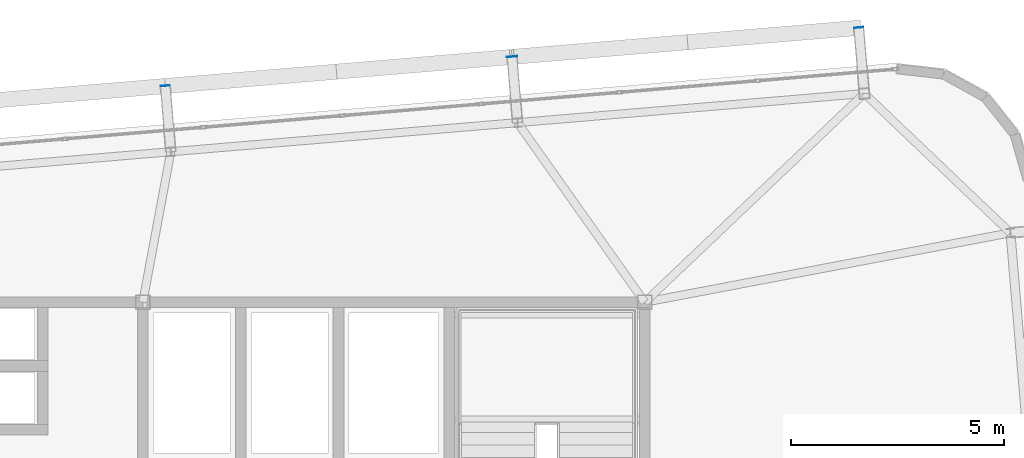
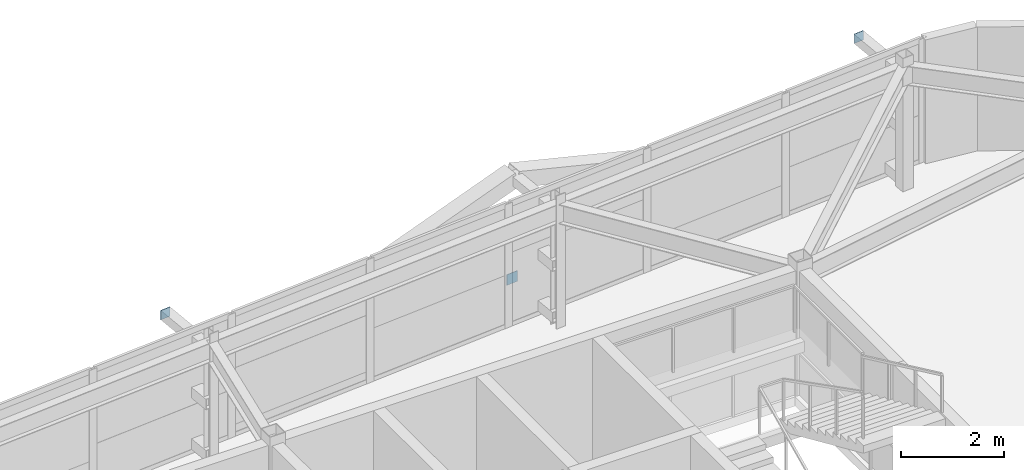
# One storey, part 40 of 46: 3 plates.
"""IFC4 building model written with IfcOpenShell, lengths in metres."""

from ifc_helpers import new_model, si_unit, direction, frame, origin, origin_2d, place, context, subcontext, project, spatial, rectangle, extrude, source, transform, mapped, material, layer, layer_set, type_object, element, save


model = new_model("IFC4")

# Units and contexts
model_context = context("Model", 3, precision=1e-05, world=origin(), true_north=direction((0.0, 1.0)))
body_context = subcontext(model_context, "Body", "Model", "MODEL_VIEW")
ifc_project = project(units=[si_unit("LENGTHUNIT", "METRE"), si_unit("AREAUNIT", "SQUARE_METRE"), si_unit("VOLUMEUNIT", "CUBIC_METRE"), si_unit("PLANEANGLEUNIT", "RADIAN"), si_unit("MASSUNIT", "GRAM", prefix="KILO")], contexts=[model_context])

# Site, building, storey
site_placement = place(None, origin())
site = spatial("IfcSite", under=ifc_project, at=site_placement, CompositionType="ELEMENT")
building_placement = place(site_placement, origin())
building = spatial("IfcBuilding", under=site, at=building_placement, Name="Taldren Reach Tower", CompositionType="ELEMENT")
storey_placement = place(building_placement, frame((0.0, 0.0, 194.60009765625)))
storey = spatial("IfcBuildingStorey", under=building, at=storey_placement, Name="L59", CompositionType="ELEMENT", Elevation=194.60009765625)

# Plates
ifc_material_1 = material(Name="Steel Gr 350 (C350L0)", Category="steel")
ifc_layer_1 = layer(ifc_material_1, 0.011962890625)
ifc_layer_set_1 = layer_set([ifc_layer_1], Name="Steel Gr 350 (C350L0)")
plate_type_1 = type_object("IfcPlateType", Name="PL-CAP-250", PredefinedType="SHEET", material=ifc_layer_set_1)
shared_shape_1 = source(origin(), body_context, "Body", "SweptSolid", [
    extrude(rectangle(XDim=0.25, YDim=0.011962890625, at=origin_2d()), origin(), (0.0, 0.0, 1.0), 0.25),
])
plate_placement = place(storey_placement, frame((47.87890625, 37.77197265625, 0.094970703125), z_axis=(0.0, 0.0, 1.0), x_axis=(0.99649285925, 0.083677843332, 0.0)))
element("IfcPlate", 1, at=plate_placement, inside=storey, type_object=plate_type_1, Name="Tie strut end cap plate B4-N5 L59", PredefinedType="SHEET", context=body_context, shape_type="MappedRepresentation", body=[
    mapped(shared_shape_1, transform((0.0, 0.0, 0.0), scale=1.0)),
])
ifc_material_2 = material(Name="Steel Gr 450 (C450L0)", Category="steel")
ifc_layer_2 = layer(ifc_material_2, 0.011962890625)
ifc_layer_set_2 = layer_set([ifc_layer_2], Name="Steel Gr 450 (C450L0)")
plate_type_2 = type_object("IfcPlateType", Name="PL-CAP-220", PredefinedType="SHEET", material=ifc_layer_set_2)
shared_shape_2 = source(origin(), body_context, "Body", "SweptSolid", [
    extrude(rectangle(XDim=0.219970703125, YDim=0.011962890625, at=origin_2d()), origin(), (0.0, 0.0, 1.0), 0.219970703125),
])
for number, where, z_axis, x_axis, name in (
    (2, (39.7275390625, 37.087646484375, 2.5400390625), (0.0, 0.0, 1.0), (0.99649285925, 0.083677843332, 0.0), "Tie strut end cap plate B4-N4 L59"),
    (3, (56.030029296875, 38.45654296875, 2.5400390625), (0.0, 0.0, 1.0), (0.99649285925, 0.083677843332, 0.0), "Tie strut end cap plate B4-N6 L59"),
):
    element("IfcPlate", number, at=place(storey_placement, frame(where, z_axis=z_axis, x_axis=x_axis)), inside=storey, type_object=plate_type_2, Name=name, PredefinedType="SHEET", context=body_context, shape_type="MappedRepresentation", body=[
        mapped(shared_shape_2, transform((0.0, 0.0, 0.0), scale=1.0)),
    ])

save(model, "model.ifc")
